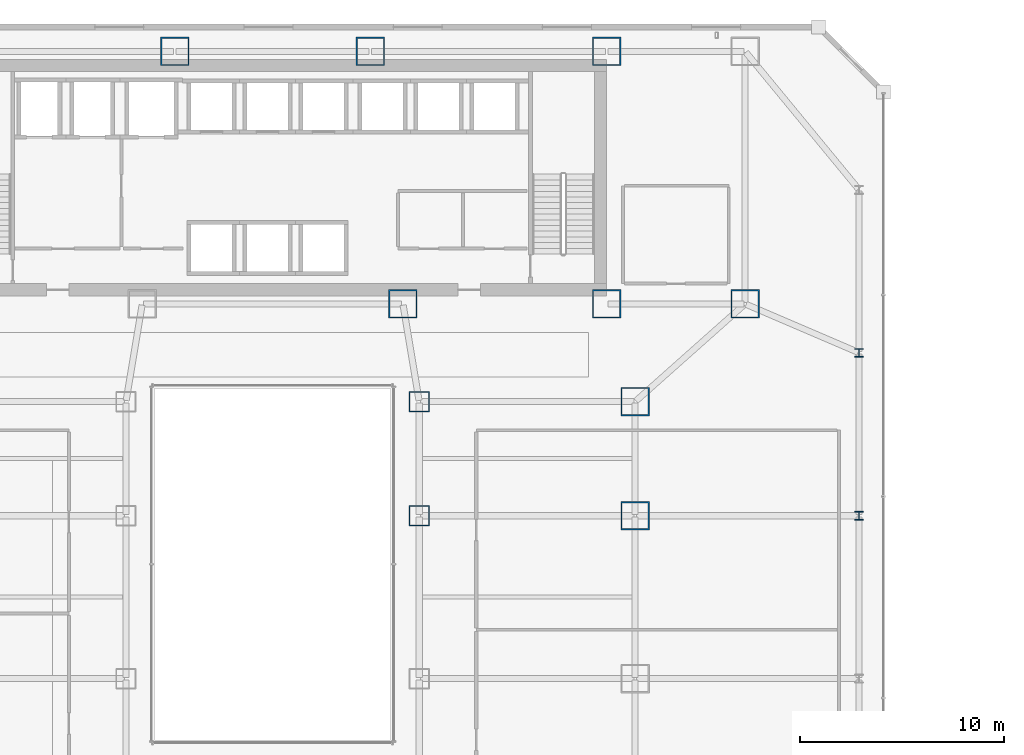
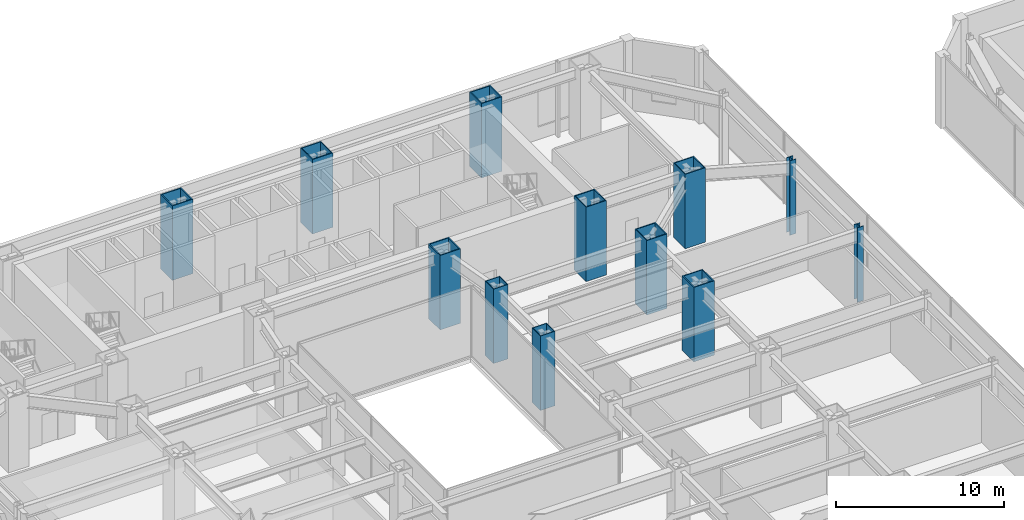
# One storey, part 4 of 53: 12 columns.
"""IFC4 building model written with IfcOpenShell, lengths in metres."""

from ifc_helpers import new_model, si_unit, direction, frame, origin, origin_2d, place, context, subcontext, project, spatial, hollow_rectangle, i_section, extrude, material, material_profile, profile_set, type_object, element, save


model = new_model("IFC4")

# Units and contexts
model_context = context("Model", 3, precision=1e-05, world=origin(), true_north=direction((0.0, 1.0)))
body_context = subcontext(model_context, "Body", "Model", "MODEL_VIEW")
ifc_project = project(units=[si_unit("LENGTHUNIT", "METRE"), si_unit("AREAUNIT", "SQUARE_METRE"), si_unit("VOLUMEUNIT", "CUBIC_METRE"), si_unit("PLANEANGLEUNIT", "RADIAN"), si_unit("MASSUNIT", "GRAM", prefix="KILO")], contexts=[model_context])

# Site, building, storey
site_placement = place(None, origin())
site = spatial("IfcSite", under=ifc_project, at=site_placement, CompositionType="ELEMENT")
building_placement = place(site_placement, origin())
building = spatial("IfcBuilding", under=site, at=building_placement, Name="Saevonmaru Cultural Tower", CompositionType="ELEMENT")
storey_placement = place(building_placement, frame((0.0, 0.0, 22.199951171875)))
storey = spatial("IfcBuildingStorey", under=building, at=storey_placement, Name="L04", CompositionType="ELEMENT", Elevation=22.199951171875)

# Columns
ifc_material_1 = material(Name="Steel SM420", Category="steel")
ifc_material_profile_1 = material_profile(ifc_material_1, hollow_rectangle(XDim=1.0, YDim=1.0, WallThickness=0.044921875, at=origin_2d()), Name="BOX-1000x1000x45")
ifc_profile_set_1 = profile_set([ifc_material_profile_1], Name="Steel SM420")
column_type_1 = type_object("IfcColumnType", Name="COL-BOX-1000", PredefinedType="COLUMN", material=ifc_profile_set_1)
for number, where, z_axis, x_axis, name in (
    (1, (37.199951171875, 32.0, 0.0), (0.0, 0.0, 1.0), (1.0, 0.0, 0.0), "L04 Column PC-E2-E"),
    (2, (37.199951171875, 37.60009765625, 0.0), (0.0, 0.0, 1.0), (1.0, 0.0, 0.0), "L04 Column PC-E2-F"),
):
    element("IfcColumn", number, at=place(storey_placement, frame(where, z_axis=z_axis, x_axis=x_axis)), inside=storey, type_object=column_type_1, Name=name, PredefinedType="COLUMN", context=body_context, shape_type="SweptSolid", body=[
        extrude(hollow_rectangle(XDim=1.0, YDim=1.0, WallThickness=0.044921875, at=origin_2d()), origin(), (0.0, 0.0, 1.0), 5.400146484375),
    ])
ifc_material_2 = material(Name="Steel HSA600 (600 MPa)", Category="steel")
ifc_material_profile_2 = material_profile(ifc_material_2, hollow_rectangle(XDim=1.39990234375, YDim=1.39990234375, WallThickness=0.06494140625, at=origin_2d()), Name="BOX-1400x1400x65")
ifc_profile_set_2 = profile_set([ifc_material_profile_2], Name="Steel HSA600 (600 MPa)")
column_type_2 = type_object("IfcColumnType", Name="COL-BOX-1400", PredefinedType="COLUMN", material=ifc_profile_set_2)
for number, where, z_axis, x_axis, name in (
    (3, (25.199951171875, 54.800048828125, 0.0), (0.0, 0.0, 1.0), (1.0, 0.0, 0.0), "L04 Column TC-N3N"),
    (4, (34.800048828125, 54.800048828125, 0.0), (0.0, 0.0, 1.0), (1.0, 0.0, 0.0), "L04 Column TC-N4N"),
    (5, (46.39990234375, 54.800048828125, 0.0), (0.0, 0.0, 1.0), (1.0, 0.0, 0.0), "L04 Column TC-N5N"),
    (6, (36.39990234375, 42.39990234375, 0.0), (0.0, 0.0, 1.0), (1.0, 0.0, 0.0), "L04 Column TC-S4C"),
    (7, (46.39990234375, 42.39990234375, 0.0), (0.0, 0.0, 1.0), (1.0, 0.0, 0.0), "L04 Column TC-S5C"),
    (8, (53.199951171875, 42.39990234375, 0.0), (0.0, 0.0, 1.0), (1.0, 0.0, 0.0), "L04 Column TC-S6C"),
    (9, (47.800048828125, 32.0, 0.0), (0.0, 0.0, 1.0), (1.0, 0.0, 0.0), "L04 Column PC-E1-E"),
    (10, (47.800048828125, 37.60009765625, 0.0), (0.0, 0.0, 1.0), (1.0, 0.0, 0.0), "L04 Column PC-E1-F"),
):
    element("IfcColumn", number, at=place(storey_placement, frame(where, z_axis=z_axis, x_axis=x_axis)), inside=storey, type_object=column_type_2, Name=name, PredefinedType="COLUMN", context=body_context, shape_type="SweptSolid", body=[
        extrude(hollow_rectangle(XDim=1.39990234375, YDim=1.39990234375, WallThickness=0.06494140625, at=origin_2d()), origin(), (0.0, 0.0, 1.0), 5.400146484375),
    ])
ifc_material_profile_3 = material_profile(ifc_material_1, i_section(OverallWidth=0.419921875, OverallDepth=0.419921875, WebThickness=0.02001953125, FlangeThickness=0.034912109375, FilletRadius=0.02197265625, at=origin_2d()), Name="H-428x407x20x35")
ifc_profile_set_3 = profile_set([ifc_material_profile_3], Name="Steel SM420")
column_type_3 = type_object("IfcColumnType", Name="COL-H-428", PredefinedType="COLUMN", material=ifc_profile_set_3)
for number, where, z_axis, x_axis, name in (
    (11, (58.800048828125, 32.0, 0.0), (0.0, 0.0, 1.0), (1.0, 0.0, 0.0), "L04 Column PC-PE-E"),
    (12, (58.800048828125, 40.0, 0.0), (0.0, 0.0, 1.0), (1.0, 0.0, 0.0), "L04 Column PC-PE-F"),
):
    element("IfcColumn", number, at=place(storey_placement, frame(where, z_axis=z_axis, x_axis=x_axis)), inside=storey, type_object=column_type_3, Name=name, PredefinedType="COLUMN", context=body_context, shape_type="SweptSolid", body=[
        extrude(i_section(OverallWidth=0.419921875, OverallDepth=0.419921875, WebThickness=0.02001953125, FlangeThickness=0.034912109375, FilletRadius=0.02197265625, at=origin_2d()), origin(), (0.0, 0.0, 1.0), 5.400146484375),
    ])

save(model, "model.ifc")
